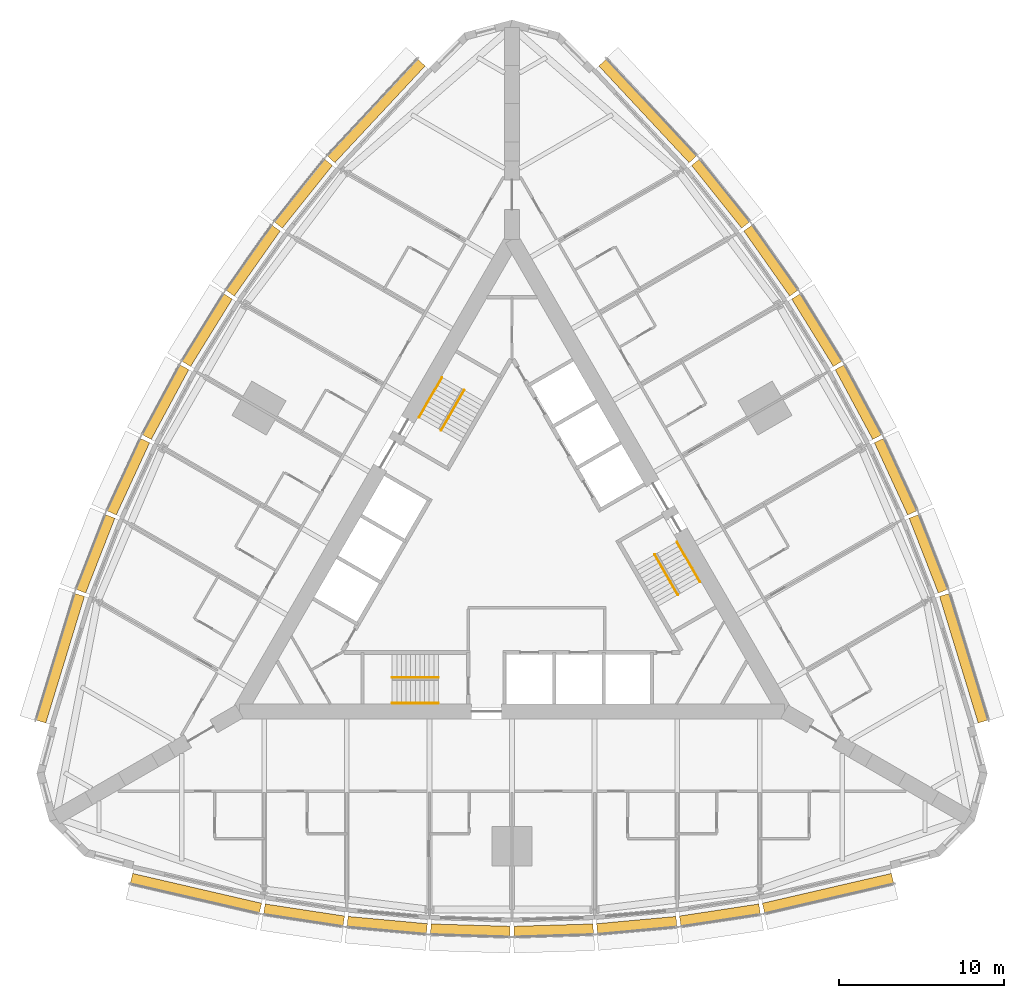
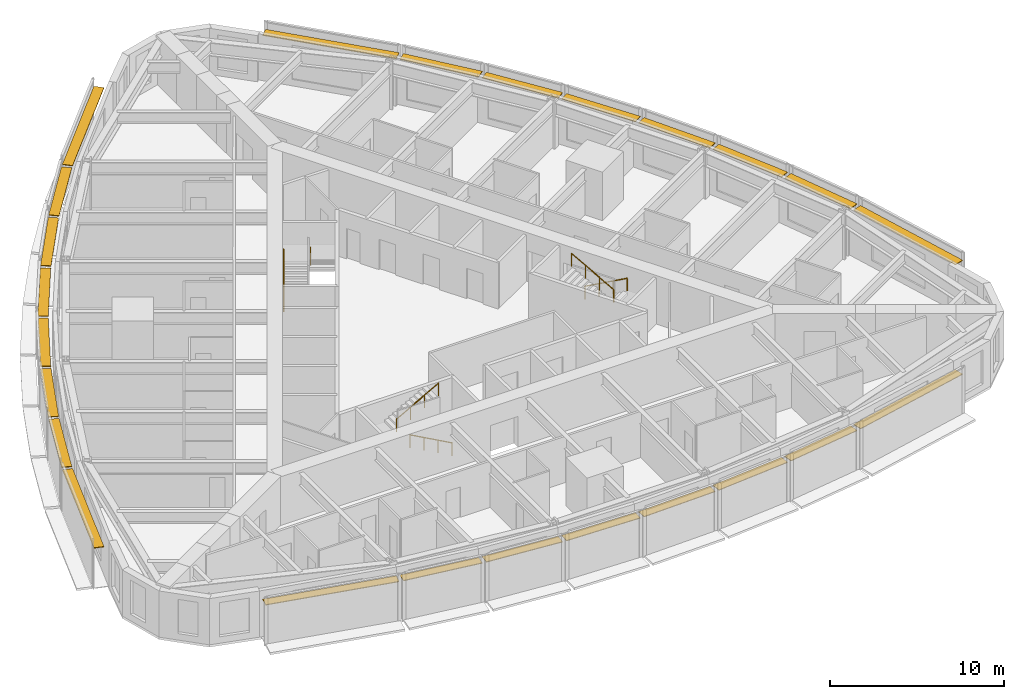
# One storey, part 14 of 14: 24 shading devices, 6 railings.
"""IFC4 building model written with IfcOpenShell, lengths in metres."""

from ifc_helpers import new_model, si_unit, direction, frame, origin, origin_2d, place, context, subcontext, project, spatial, rectangle, circle, extrude, material, type_object, element, save


model = new_model("IFC4")

# Units and contexts
model_context = context("Model", 3, precision=1e-05, world=origin(), true_north=direction((0.0, 1.0)))
body_context = subcontext(model_context, "Body", "Model", "MODEL_VIEW")
ifc_project = project(units=[si_unit("LENGTHUNIT", "METRE"), si_unit("AREAUNIT", "SQUARE_METRE"), si_unit("VOLUMEUNIT", "CUBIC_METRE"), si_unit("PLANEANGLEUNIT", "RADIAN"), si_unit("MASSUNIT", "GRAM", prefix="KILO")], contexts=[model_context])

# Site, building, storey
site_placement = place(None, origin())
site = spatial("IfcSite", under=ifc_project, at=site_placement, CompositionType="ELEMENT")
building_placement = place(site_placement, origin())
building = spatial("IfcBuilding", under=site, at=building_placement, Name="Trikona Tower", CompositionType="ELEMENT")
storey_placement = place(building_placement, frame((0.0, 0.0, 72.699951171875)))
storey = spatial("IfcBuildingStorey", under=building, at=storey_placement, Name="L18", CompositionType="ELEMENT", Elevation=72.699951171875)

# Shading devices
ifc_material_1 = material(Name="Aluminium louvre blade, pale anodised", Category="aluminium")
shading_device_type = type_object("IfcShadingDeviceType", Name="Cavity louvre 600", PredefinedType="USERDEFINED", material=ifc_material_1)
shading_device_1_placement = place(storey_placement, frame((-19.126220703125, -20.5234375, 2.77490234375), z_axis=(0.0, 0.0, 1.0), x_axis=(0.974277718622, -0.225350675607, 0.0)))
element("IfcShadingDevice", 1, at=shading_device_1_placement, inside=storey, type_object=shading_device_type, Name="Cavity louvre L18-00", ObjectType="LOUVRE", PredefinedType="USERDEFINED", context=body_context, shape_type="SweptSolid", body=[
    extrude(rectangle(XDim=8.01123046875, YDim=0.60009765625, at=origin_2d()), origin(), (0.0, 0.0, 1.0), 0.050048828125),
])
shading_device_2_placement = place(storey_placement, frame((-12.584228515625, -21.837158203125, 2.77490234375), z_axis=(0.0, 0.0, 1.0), x_axis=(0.988617896768, -0.150448177754, 0.0)))
element("IfcShadingDevice", 2, at=shading_device_2_placement, inside=storey, type_object=shading_device_type, Name="Cavity louvre L18-01", ObjectType="LOUVRE", PredefinedType="USERDEFINED", context=body_context, shape_type="SweptSolid", body=[
    extrude(rectangle(XDim=4.857666015625, YDim=0.60009765625, at=origin_2d()), origin(), (0.0, 0.0, 1.0), 0.050048828125),
])
shading_device_3_placement = place(storey_placement, frame((-7.55078125, -22.44970703125, 2.77490234375), z_axis=(0.0, 0.0, 1.0), x_axis=(0.995858098326, -0.090921108655, 0.0)))
element("IfcShadingDevice", 3, at=shading_device_3_placement, inside=storey, type_object=shading_device_type, Name="Cavity louvre L18-02", ObjectType="LOUVRE", PredefinedType="USERDEFINED", context=body_context, shape_type="SweptSolid", body=[
    extrude(rectangle(XDim=4.82080078125, YDim=0.60009765625, at=origin_2d()), origin(), (0.0, 0.0, 1.0), 0.050048828125),
])
for number, where, z_axis, x_axis, name in (
    (4, (-2.51708984375, -22.756103515625, 2.77490234375), (0.0, 0.0, 1.0), (0.999537048889, -0.030425119525, 0.0), "Cavity louvre L18-03"),
    (5, (2.51708984375, -22.756103515625, 2.77490234375), (0.0, 0.0, 1.0), (0.999537048889, 0.030425119525, 0.0), "Cavity louvre L18-04"),
):
    element("IfcShadingDevice", number, at=place(storey_placement, frame(where, z_axis=z_axis, x_axis=x_axis)), inside=storey, type_object=shading_device_type, Name=name, ObjectType="LOUVRE", PredefinedType="USERDEFINED", context=body_context, shape_type="SweptSolid", body=[
        extrude(rectangle(XDim=4.80224609375, YDim=0.60009765625, at=origin_2d()), origin(), (0.0, 0.0, 1.0), 0.050048828125),
    ])
shading_device_4_placement = place(storey_placement, frame((7.55078125, -22.44970703125, 2.77490234375), z_axis=(0.0, 0.0, 1.0), x_axis=(0.995858098326, 0.090921108655, 0.0)))
element("IfcShadingDevice", 6, at=shading_device_4_placement, inside=storey, type_object=shading_device_type, Name="Cavity louvre L18-05", ObjectType="LOUVRE", PredefinedType="USERDEFINED", context=body_context, shape_type="SweptSolid", body=[
    extrude(rectangle(XDim=4.82080078125, YDim=0.60009765625, at=origin_2d()), origin(), (0.0, 0.0, 1.0), 0.050048828125),
])
shading_device_5_placement = place(storey_placement, frame((12.584228515625, -21.837158203125, 2.77490234375), z_axis=(0.0, 0.0, 1.0), x_axis=(0.988617896768, 0.150448177754, 0.0)))
element("IfcShadingDevice", 7, at=shading_device_5_placement, inside=storey, type_object=shading_device_type, Name="Cavity louvre L18-06", ObjectType="LOUVRE", PredefinedType="USERDEFINED", context=body_context, shape_type="SweptSolid", body=[
    extrude(rectangle(XDim=4.857666015625, YDim=0.60009765625, at=origin_2d()), origin(), (0.0, 0.0, 1.0), 0.050048828125),
])
for number, where, z_axis, x_axis, name in (
    (8, (19.126220703125, -20.5234375, 2.77490234375), (0.0, 0.0, 1.0), (0.974277718622, 0.225350675607, 0.0), "Cavity louvre L18-07"),
    (9, (27.3369140625, -6.302001953125, 2.77490234375), (0.0, 0.0, 1.0), (-0.291979449475, 0.956424592471, 0.0), "Cavity louvre L18-12"),
):
    element("IfcShadingDevice", number, at=place(storey_placement, frame(where, z_axis=z_axis, x_axis=x_axis)), inside=storey, type_object=shading_device_type, Name=name, ObjectType="LOUVRE", PredefinedType="USERDEFINED", context=body_context, shape_type="SweptSolid", body=[
        extrude(rectangle(XDim=8.01123046875, YDim=0.60009765625, at=origin_2d()), origin(), (0.0, 0.0, 1.0), 0.050048828125),
    ])
shading_device_6_placement = place(storey_placement, frame((25.20361328125, 0.020263671875, 2.77490234375), z_axis=(0.0, 0.0, 1.0), x_axis=(-0.364008876551, 0.931395478726, 0.0)))
element("IfcShadingDevice", 10, at=shading_device_6_placement, inside=storey, type_object=shading_device_type, Name="Cavity louvre L18-13", ObjectType="LOUVRE", PredefinedType="USERDEFINED", context=body_context, shape_type="SweptSolid", body=[
    extrude(rectangle(XDim=4.857666015625, YDim=0.60009765625, at=origin_2d()), origin(), (0.0, 0.0, 1.0), 0.050048828125),
])
shading_device_7_placement = place(storey_placement, frame((23.217529296875, 4.685546875, 2.77490234375), z_axis=(0.0, 0.0, 1.0), x_axis=(-0.41919381307, 0.907896771161, 0.0)))
element("IfcShadingDevice", 11, at=shading_device_7_placement, inside=storey, type_object=shading_device_type, Name="Cavity louvre L18-14", ObjectType="LOUVRE", PredefinedType="USERDEFINED", context=body_context, shape_type="SweptSolid", body=[
    extrude(rectangle(XDim=4.82080078125, YDim=0.60009765625, at=origin_2d()), origin(), (0.0, 0.0, 1.0), 0.050048828125),
])
for number, where, z_axis, x_axis, name in (
    (12, (20.966064453125, 9.1982421875, 2.77490234375), (0.0, 0.0, 1.0), (-0.473422672721, 0.880835383572, 0.0), "Cavity louvre L18-15"),
    (13, (18.448974609375, 13.557861328125, 2.77490234375), (0.0, 0.0, 1.0), (-0.526118935114, 0.85041099835, 0.0), "Cavity louvre L18-16"),
):
    element("IfcShadingDevice", number, at=place(storey_placement, frame(where, z_axis=z_axis, x_axis=x_axis)), inside=storey, type_object=shading_device_type, Name=name, ObjectType="LOUVRE", PredefinedType="USERDEFINED", context=body_context, shape_type="SweptSolid", body=[
        extrude(rectangle(XDim=4.80224609375, YDim=0.60009765625, at=origin_2d()), origin(), (0.0, 0.0, 1.0), 0.050048828125),
    ])
shading_device_8_placement = place(storey_placement, frame((15.666748046875, 17.76416015625, 2.77490234375), z_axis=(0.0, 0.0, 1.0), x_axis=(-0.576661909499, 0.816982889743, 0.0)))
element("IfcShadingDevice", 14, at=shading_device_8_placement, inside=storey, type_object=shading_device_type, Name="Cavity louvre L18-17", ObjectType="LOUVRE", PredefinedType="USERDEFINED", context=body_context, shape_type="SweptSolid", body=[
    extrude(rectangle(XDim=4.82080078125, YDim=0.60009765625, at=origin_2d()), origin(), (0.0, 0.0, 1.0), 0.050048828125),
])
shading_device_9_placement = place(storey_placement, frame((12.619384765625, 21.81689453125, 2.77490234375), z_axis=(0.0, 0.0, 1.0), x_axis=(-0.624603618277, 0.780941944087, 0.0)))
element("IfcShadingDevice", 15, at=shading_device_9_placement, inside=storey, type_object=shading_device_type, Name="Cavity louvre L18-18", ObjectType="LOUVRE", PredefinedType="USERDEFINED", context=body_context, shape_type="SweptSolid", body=[
    extrude(rectangle(XDim=4.857666015625, YDim=0.60009765625, at=origin_2d()), origin(), (0.0, 0.0, 1.0), 0.050048828125),
])
for number, where, z_axis, x_axis, name in (
    (16, (8.210693359375, 26.825439453125, 2.77490234375), (0.0, 0.0, 1.0), (-0.682298269147, 0.731073916864, 0.0), "Cavity louvre L18-19"),
    (17, (-8.210693359375, 26.825439453125, 2.77490234375), (0.0, 0.0, 1.0), (-0.682298269147, -0.731073916864, 0.0), "Cavity louvre L18-24"),
):
    element("IfcShadingDevice", number, at=place(storey_placement, frame(where, z_axis=z_axis, x_axis=x_axis)), inside=storey, type_object=shading_device_type, Name=name, ObjectType="LOUVRE", PredefinedType="USERDEFINED", context=body_context, shape_type="SweptSolid", body=[
        extrude(rectangle(XDim=8.01123046875, YDim=0.60009765625, at=origin_2d()), origin(), (0.0, 0.0, 1.0), 0.050048828125),
    ])
shading_device_10_placement = place(storey_placement, frame((-12.619384765625, 21.81689453125, 2.77490234375), z_axis=(0.0, 0.0, 1.0), x_axis=(-0.624603618277, -0.780941944087, 0.0)))
element("IfcShadingDevice", 18, at=shading_device_10_placement, inside=storey, type_object=shading_device_type, Name="Cavity louvre L18-25", ObjectType="LOUVRE", PredefinedType="USERDEFINED", context=body_context, shape_type="SweptSolid", body=[
    extrude(rectangle(XDim=4.857666015625, YDim=0.60009765625, at=origin_2d()), origin(), (0.0, 0.0, 1.0), 0.050048828125),
])
shading_device_11_placement = place(storey_placement, frame((-15.666748046875, 17.76416015625, 2.77490234375), z_axis=(0.0, 0.0, 1.0), x_axis=(-0.576661909499, -0.816982889743, 0.0)))
element("IfcShadingDevice", 19, at=shading_device_11_placement, inside=storey, type_object=shading_device_type, Name="Cavity louvre L18-26", ObjectType="LOUVRE", PredefinedType="USERDEFINED", context=body_context, shape_type="SweptSolid", body=[
    extrude(rectangle(XDim=4.82080078125, YDim=0.60009765625, at=origin_2d()), origin(), (0.0, 0.0, 1.0), 0.050048828125),
])
for number, where, z_axis, x_axis, name in (
    (20, (-18.448974609375, 13.557861328125, 2.77490234375), (0.0, 0.0, 1.0), (-0.526118935114, -0.85041099835, 0.0), "Cavity louvre L18-27"),
    (21, (-20.966064453125, 9.1982421875, 2.77490234375), (0.0, 0.0, 1.0), (-0.473422672721, -0.880835383572, 0.0), "Cavity louvre L18-28"),
):
    element("IfcShadingDevice", number, at=place(storey_placement, frame(where, z_axis=z_axis, x_axis=x_axis)), inside=storey, type_object=shading_device_type, Name=name, ObjectType="LOUVRE", PredefinedType="USERDEFINED", context=body_context, shape_type="SweptSolid", body=[
        extrude(rectangle(XDim=4.80224609375, YDim=0.60009765625, at=origin_2d()), origin(), (0.0, 0.0, 1.0), 0.050048828125),
    ])
shading_device_12_placement = place(storey_placement, frame((-23.217529296875, 4.685546875, 2.77490234375), z_axis=(0.0, 0.0, 1.0), x_axis=(-0.41919381307, -0.907896771161, 0.0)))
element("IfcShadingDevice", 22, at=shading_device_12_placement, inside=storey, type_object=shading_device_type, Name="Cavity louvre L18-29", ObjectType="LOUVRE", PredefinedType="USERDEFINED", context=body_context, shape_type="SweptSolid", body=[
    extrude(rectangle(XDim=4.82080078125, YDim=0.60009765625, at=origin_2d()), origin(), (0.0, 0.0, 1.0), 0.050048828125),
])
shading_device_13_placement = place(storey_placement, frame((-25.20361328125, 0.020263671875, 2.77490234375), z_axis=(0.0, 0.0, 1.0), x_axis=(-0.364008876551, -0.931395478726, 0.0)))
element("IfcShadingDevice", 23, at=shading_device_13_placement, inside=storey, type_object=shading_device_type, Name="Cavity louvre L18-30", ObjectType="LOUVRE", PredefinedType="USERDEFINED", context=body_context, shape_type="SweptSolid", body=[
    extrude(rectangle(XDim=4.857666015625, YDim=0.60009765625, at=origin_2d()), origin(), (0.0, 0.0, 1.0), 0.050048828125),
])
shading_device_14_placement = place(storey_placement, frame((-27.3369140625, -6.302001953125, 2.77490234375), z_axis=(0.0, 0.0, 1.0), x_axis=(-0.291979449475, -0.956424592471, 0.0)))
element("IfcShadingDevice", 24, at=shading_device_14_placement, inside=storey, type_object=shading_device_type, Name="Cavity louvre L18-31", ObjectType="LOUVRE", PredefinedType="USERDEFINED", context=body_context, shape_type="SweptSolid", body=[
    extrude(rectangle(XDim=8.01123046875, YDim=0.60009765625, at=origin_2d()), origin(), (0.0, 0.0, 1.0), 0.050048828125),
])

# Railings
ifc_material_2 = material(Name="Stainless steel handrail", Category="steel")
railing_type = type_object("IfcRailingType", Name="Stair handrail", PredefinedType="HANDRAIL", material=ifc_material_2)
railing_1_placement = place(storey_placement, frame((-4.449951171875, -9.016357421875, 0.154541015625)))
element("IfcRailing", 25, at=railing_1_placement, inside=storey, type_object=railing_type, Name="Stair handrail A L18 1", PredefinedType="HANDRAIL", context=body_context, shape_type="SweptSolid", body=[
    extrude(circle(Radius=0.02392578125, at=origin_2d()), frame((0.0, 0.0, 0.8759765625), z_axis=(-0.875504190374, 0.0, 0.483210526207), x_axis=(0.0, -1.0, 0.0)), (0.0, 0.0, 1.0), 3.1982421875),
    extrude(circle(Radius=0.02099609375, at=origin_2d()), origin(), (0.0, 0.0, 1.0), 0.851806640625),
    extrude(circle(Radius=0.02099609375, at=origin_2d()), frame((-0.933349609375, 0.0, 0.51513671875)), (0.0, 0.0, 1.0), 0.851806640625),
    extrude(circle(Radius=0.02099609375, at=origin_2d()), frame((-1.86669921875, 0.0, 1.0302734375)), (0.0, 0.0, 1.0), 0.851806640625),
    extrude(circle(Radius=0.02099609375, at=origin_2d()), frame((-2.800048828125, 0.0, 1.54541015625)), (0.0, 0.0, 1.0), 0.851806640625),
])
railing_2_placement = place(storey_placement, frame((-7.25, -7.46630859375, 1.8544921875)))
element("IfcRailing", 26, at=railing_2_placement, inside=storey, type_object=railing_type, Name="Stair handrail A L18 2", PredefinedType="HANDRAIL", context=body_context, shape_type="SweptSolid", body=[
    extrude(circle(Radius=0.02392578125, at=origin_2d()), frame((0.0, 0.0, 0.8759765625), z_axis=(0.875471895205, 0.0, 0.483269035534), x_axis=(0.0, 1.0, 0.0)), (0.0, 0.0, 1.0), 3.1982421875),
    extrude(circle(Radius=0.02099609375, at=origin_2d()), origin(), (0.0, 0.0, 1.0), 0.851806640625),
    extrude(circle(Radius=0.02099609375, at=origin_2d()), frame((0.933349609375, 0.0, 0.51513671875)), (0.0, 0.0, 1.0), 0.851806640625),
    extrude(circle(Radius=0.02099609375, at=origin_2d()), frame((1.86669921875, 0.0, 1.030517578125)), (0.0, 0.0, 1.0), 0.851806640625),
    extrude(circle(Radius=0.02099609375, at=origin_2d()), frame((2.800048828125, 0.0, 1.545654296875)), (0.0, 0.0, 1.0), 0.851806640625),
])
railing_3_placement = place(storey_placement, frame((9.9833984375, 0.740966796875, 0.154541015625)))
element("IfcRailing", 27, at=railing_3_placement, inside=storey, type_object=railing_type, Name="Stair handrail B L18 1", PredefinedType="HANDRAIL", context=body_context, shape_type="SweptSolid", body=[
    extrude(circle(Radius=0.02392578125, at=origin_2d()), frame((0.0, 0.0, 0.8759765625), z_axis=(0.437707188162, -0.758239536103, 0.483203087036), x_axis=(0.866056369097, 0.49994636267, 0.0)), (0.0, 0.0, 1.0), 3.1982421875),
    extrude(circle(Radius=0.02099609375, at=origin_2d()), origin(), (0.0, 0.0, 1.0), 0.851806640625),
    extrude(circle(Radius=0.02099609375, at=origin_2d()), frame((0.466552734375, -0.808349609375, 0.51513671875)), (0.0, 0.0, 1.0), 0.851806640625),
    extrude(circle(Radius=0.02099609375, at=origin_2d()), frame((0.933349609375, -1.61669921875, 1.0302734375)), (0.0, 0.0, 1.0), 0.851806640625),
    extrude(circle(Radius=0.02099609375, at=origin_2d()), frame((1.39990234375, -2.425048828125, 1.54541015625)), (0.0, 0.0, 1.0), 0.851806640625),
])
railing_4_placement = place(storey_placement, frame((10.041015625, -2.458984375, 1.8544921875)))
element("IfcRailing", 28, at=railing_4_placement, inside=storey, type_object=railing_type, Name="Stair handrail B L18 2", PredefinedType="HANDRAIL", context=body_context, shape_type="SweptSolid", body=[
    extrude(circle(Radius=0.02392578125, at=origin_2d()), frame((0.0, 0.0, 0.8759765625), z_axis=(-0.437691042731, 0.758211567396, 0.483261596012), x_axis=(-0.866056369097, -0.49994636267, 0.0)), (0.0, 0.0, 1.0), 3.198486328125),
    extrude(circle(Radius=0.02099609375, at=origin_2d()), origin(), (0.0, 0.0, 1.0), 0.851806640625),
    extrude(circle(Radius=0.02099609375, at=origin_2d()), frame((-0.466552734375, 0.808349609375, 0.51513671875)), (0.0, 0.0, 1.0), 0.851806640625),
    extrude(circle(Radius=0.02099609375, at=origin_2d()), frame((-0.933349609375, 1.61669921875, 1.030517578125)), (0.0, 0.0, 1.0), 0.851806640625),
    extrude(circle(Radius=0.02099609375, at=origin_2d()), frame((-1.39990234375, 2.425048828125, 1.545654296875)), (0.0, 0.0, 1.0), 0.851806640625),
])
railing_5_placement = place(storey_placement, frame((-5.63330078125, 8.275390625, 0.154541015625)))
element("IfcRailing", 29, at=railing_5_placement, inside=storey, type_object=railing_type, Name="Stair handrail C L18 1", PredefinedType="HANDRAIL", context=body_context, shape_type="SweptSolid", body=[
    extrude(circle(Radius=0.02392578125, at=origin_2d()), frame((0.0, 0.0, 0.8759765625), z_axis=(0.437732523806, 0.758207085183, 0.483231056102), x_axis=(-0.866034573852, 0.49998411664, 0.0)), (0.0, 0.0, 1.0), 3.197998046875),
    extrude(circle(Radius=0.02099609375, at=origin_2d()), origin(), (0.0, 0.0, 1.0), 0.851806640625),
    extrude(circle(Radius=0.02099609375, at=origin_2d()), frame((0.466552734375, 0.808349609375, 0.51513671875)), (0.0, 0.0, 1.0), 0.851806640625),
    extrude(circle(Radius=0.02099609375, at=origin_2d()), frame((0.933349609375, 1.616455078125, 1.0302734375)), (0.0, 0.0, 1.0), 0.851806640625),
    extrude(circle(Radius=0.02099609375, at=origin_2d()), frame((1.39990234375, 2.4248046875, 1.54541015625)), (0.0, 0.0, 1.0), 0.851806640625),
])
railing_6_placement = place(storey_placement, frame((-2.89111328125, 9.92529296875, 1.8544921875)))
element("IfcRailing", 30, at=railing_6_placement, inside=storey, type_object=railing_type, Name="Stair handrail C L18 2", PredefinedType="HANDRAIL", context=body_context, shape_type="SweptSolid", body=[
    extrude(circle(Radius=0.02392578125, at=origin_2d()), frame((0.0, 0.0, 0.8759765625), z_axis=(-0.437691042731, -0.758211567396, 0.483261596012), x_axis=(0.866056369097, -0.49994636267, 0.0)), (0.0, 0.0, 1.0), 3.198486328125),
    extrude(circle(Radius=0.02099609375, at=origin_2d()), origin(), (0.0, 0.0, 1.0), 0.851806640625),
    extrude(circle(Radius=0.02099609375, at=origin_2d()), frame((-0.466552734375, -0.808349609375, 0.51513671875)), (0.0, 0.0, 1.0), 0.851806640625),
    extrude(circle(Radius=0.02099609375, at=origin_2d()), frame((-0.933349609375, -1.61669921875, 1.030517578125)), (0.0, 0.0, 1.0), 0.851806640625),
    extrude(circle(Radius=0.02099609375, at=origin_2d()), frame((-1.39990234375, -2.425048828125, 1.545654296875)), (0.0, 0.0, 1.0), 0.851806640625),
])

save(model, "model.ifc")
